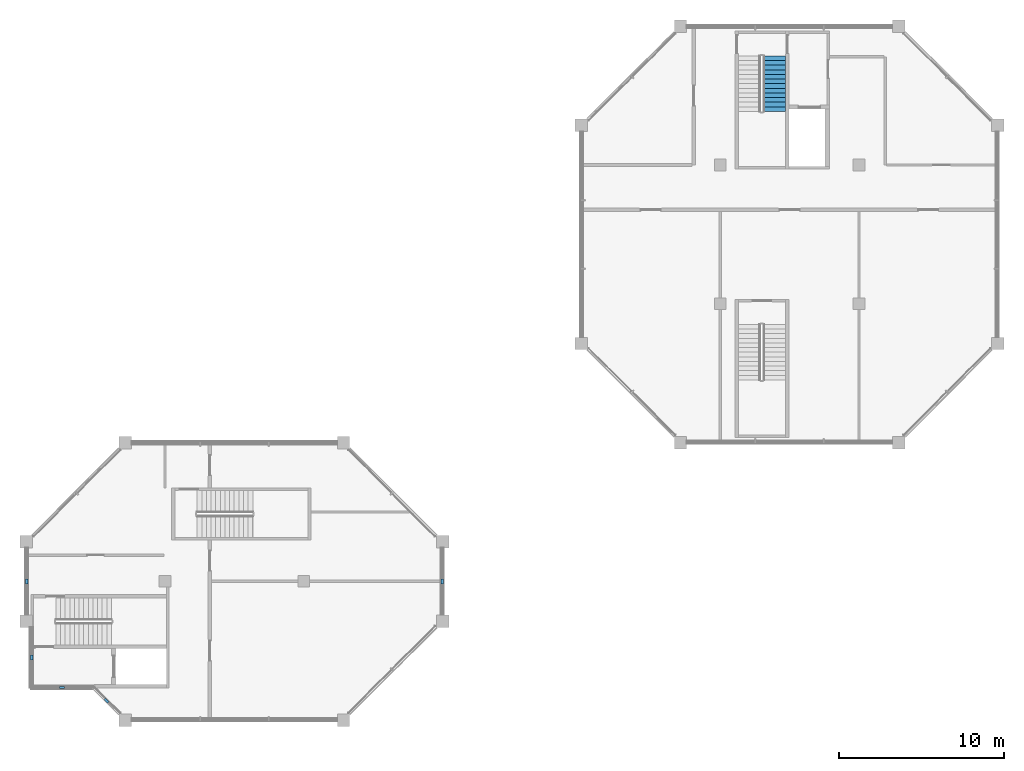
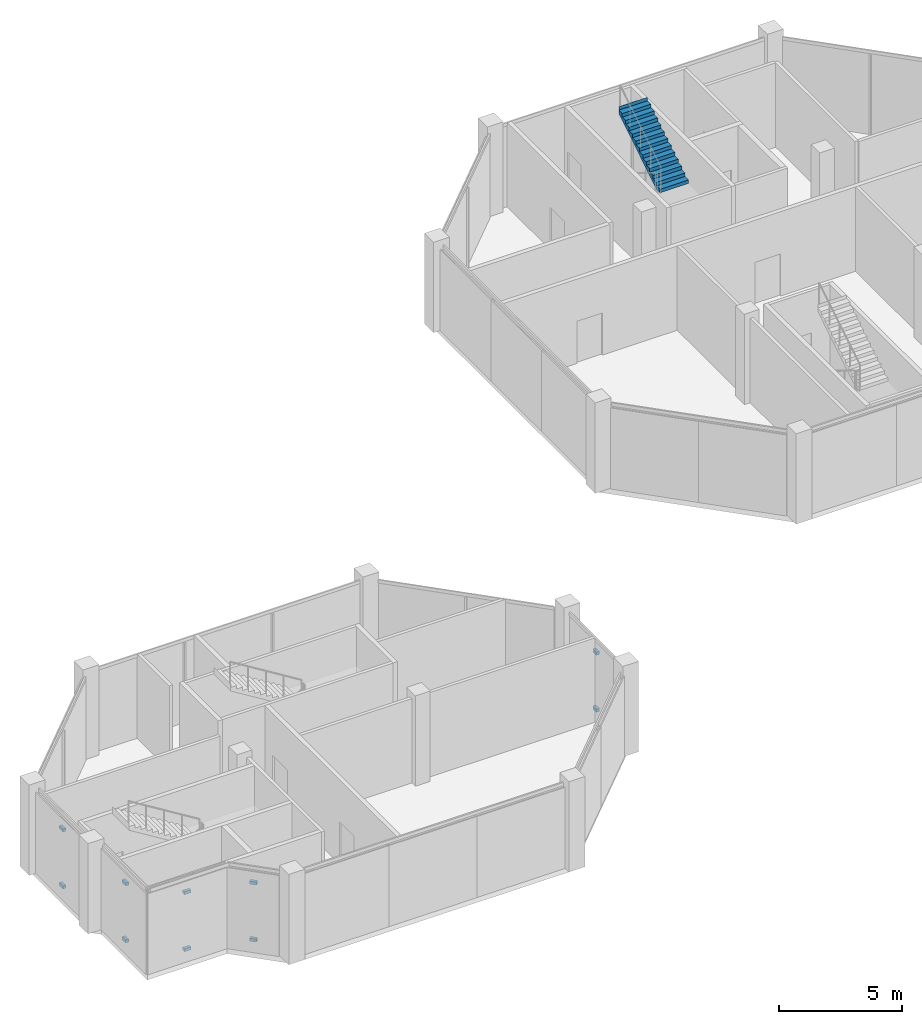
# One storey, part 7 of 9: 10 discrete accessories, 1 stair flight, 1 element without a shape of its own.
"""IFC4 building model written with IfcOpenShell, lengths in metres."""

from ifc_helpers import new_model, si_unit, direction, frame, origin, origin_2d, place, context, subcontext, project, spatial, polyline, rectangle, outline, extrude, material, type_object, element, aggregate, save


model = new_model("IFC4")

# Units and contexts
model_context = context("Model", 3, precision=1e-05, world=origin(), true_north=direction((0.0, 1.0)))
body_context = subcontext(model_context, "Body", "Model", "MODEL_VIEW")
ifc_project = project(units=[si_unit("LENGTHUNIT", "METRE"), si_unit("AREAUNIT", "SQUARE_METRE"), si_unit("VOLUMEUNIT", "CUBIC_METRE"), si_unit("PLANEANGLEUNIT", "RADIAN"), si_unit("MASSUNIT", "GRAM", prefix="KILO")], contexts=[model_context])

# Site, building, storey
site_placement = place(None, origin())
site = spatial("IfcSite", under=ifc_project, at=site_placement, CompositionType="ELEMENT")
building_placement = place(site_placement, origin())
building = spatial("IfcBuilding", under=site, at=building_placement, Name="Kawkab Arch Medical Tower", CompositionType="ELEMENT")
storey_placement = place(building_placement, frame((0.0, 0.0, 345.699951171875)))
storey = spatial("IfcBuildingStorey", under=building, at=storey_placement, Name="L80", CompositionType="ELEMENT", Elevation=345.699951171875)

# Stair, stair flight
ifc_material_1 = material(Name="Concrete C40/50", Category="concrete")
stair_type = type_object("IfcStairType", Name="Exit stair 1350", PredefinedType="HALF_TURN_STAIR", material=ifc_material_1)
stair_placement = place(storey_placement, origin())
stair = element("IfcStair", 1, at=stair_placement, inside=storey, type_object=stair_type, Name="L80 Exit stair ST5", PredefinedType="HALF_TURN_STAIR")
ifc_material_2 = material(Name="Concrete C40/50", Category="concrete")
stair_flight_type = type_object("IfcStairFlightType", Name="Exit stair flight 1350", PredefinedType="STRAIGHT", material=ifc_material_2)
stair_flight_placement = place(storey_placement, frame((45.27490234375, -5.159912109375, 2.25), z_axis=(0.0, 0.0, 1.0), x_axis=(0.0, 1.0, 0.0)))
stair_flight = element("IfcStairFlight", 2, at=stair_flight_placement, type_object=stair_flight_type, Name="ST5 flight 2", NumberOfRisers=13, NumberOfTreads=12, PredefinedType="STRAIGHT", RiserHeight=0.173076923, TreadLength=0.28, context=body_context, shape_type="SweptSolid", body=[
    extrude(outline(polyline([(-0.0029296875, 0.0), (-0.0029296875, 0.173095703125), (0.0, 0.173095703125), (0.280029296875, 0.173095703125), (0.280029296875, 0.34619140625), (0.56005859375, 0.34619140625), (0.56005859375, 0.519287109375), (0.840087890625, 0.519287109375), (0.840087890625, 0.6923828125), (1.1201171875, 0.6923828125), (1.1201171875, 0.865478515625), (1.39990234375, 0.865478515625), (1.39990234375, 1.03857421875), (1.679931640625, 1.03857421875), (1.679931640625, 1.21142578125), (1.9599609375, 1.21142578125), (1.9599609375, 1.384521484375), (2.239990234375, 1.384521484375), (2.239990234375, 1.5576171875), (2.52001953125, 1.5576171875), (2.52001953125, 1.730712890625), (2.800048828125, 1.730712890625), (2.800048828125, 1.90380859375), (3.080078125, 1.90380859375), (3.080078125, 2.076904296875), (3.360107421875, 2.076904296875), (3.360107421875, 2.25), (3.363037109375, 2.25), (3.363037109375, 1.900634765625), (3.360107421875, 1.900634765625), (0.28515625, 0.0), (-0.0029296875, 0.0)])), frame((0.0, 0.675048828125, 0.0), z_axis=(0.0, -1.0, 0.0), x_axis=(1.0, 0.0, 0.0)), (0.0, 0.0, 1.0), 1.35009765625),
])
aggregate(stair, [stair_flight])

# Discrete accessories
ifc_material_3 = material(Name="Galvanised steel screen bracket", Category="steel")
discrete_accessory_type = type_object("IfcDiscreteAccessoryType", Name="Screen bracket 300 x 150", PredefinedType="BRACKET", material=ifc_material_3)
for number, where, z_axis, x_axis, name in (
    (3, (0.027587890625, -33.60009765625, 0.525146484375), (0.0, 0.0, 1.0), (0.0, -1.0, 0.0), "Screen bracket L80 R12.1.1.1"),
    (4, (0.027587890625, -33.60009765625, 3.364990234375), (0.0, 0.0, 1.0), (0.0, -1.0, 0.0), "Screen bracket L80 R12.1.1.2"),
    (5, (0.327392578125, -38.21240234375, 0.525146484375), (0.0, 0.0, 1.0), (0.0, -1.0, 0.0), "Screen bracket L80 R14.1.1.1"),
    (6, (0.327392578125, -38.21240234375, 3.364990234375), (0.0, 0.0, 1.0), (0.0, -1.0, 0.0), "Screen bracket L80 R14.1.1.2"),
    (7, (2.175048828125, -40.0224609375, 0.525146484375), (0.0, 0.0, 1.0), (1.0, 0.0, 0.0), "Screen bracket L80 R15.1.1.1"),
    (8, (2.175048828125, -40.0224609375, 3.364990234375), (0.0, 0.0, 1.0), (1.0, 0.0, 0.0), "Screen bracket L80 R15.1.1.2"),
    (9, (4.85693359375, -40.818115234375, 0.525146484375), (0.0, 0.0, 1.0), (0.707106781187, -0.707106781187, 0.0), "Screen bracket L80 R16.1.1.1"),
    (10, (4.85693359375, -40.818115234375, 3.364990234375), (0.0, 0.0, 1.0), (0.707106781187, -0.707106781187, 0.0), "Screen bracket L80 R16.1.1.2"),
    (11, (25.172607421875, -33.60009765625, 0.525146484375), (0.0, 0.0, 1.0), (0.0, 1.0, 0.0), "Screen bracket L80 R19.1.1.1"),
    (12, (25.172607421875, -33.60009765625, 3.364990234375), (0.0, 0.0, 1.0), (0.0, 1.0, 0.0), "Screen bracket L80 R19.1.1.2"),
):
    element("IfcDiscreteAccessory", number, at=place(storey_placement, frame(where, z_axis=z_axis, x_axis=x_axis)), inside=storey, type_object=discrete_accessory_type, Name=name, PredefinedType="BRACKET", context=body_context, shape_type="SweptSolid", body=[
        extrude(rectangle(XDim=0.300048828125, YDim=0.14501953125, at=origin_2d()), origin(), (0.0, 0.0, 1.0), 0.14990234375),
    ])

save(model, "model.ifc")
